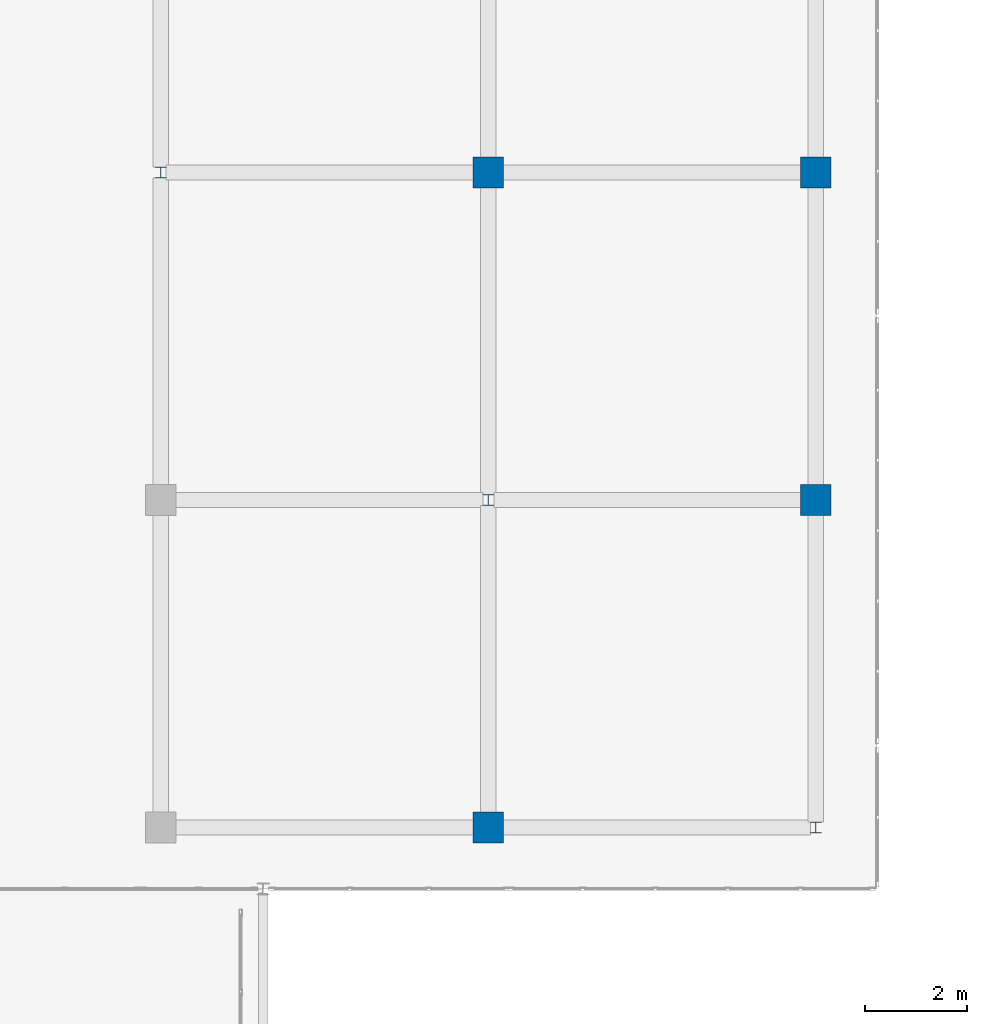
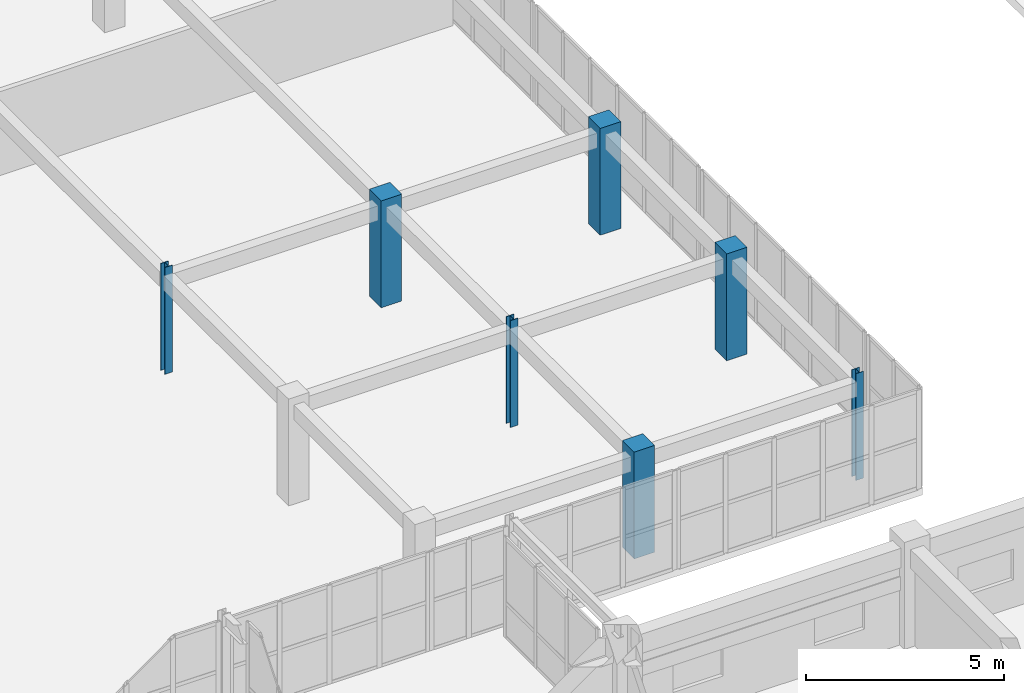
# One storey, part 13 of 200: 7 columns.
"""IFC4 building model written with IfcOpenShell, lengths in metres."""

from ifc_helpers import new_model, si_unit, direction, frame, origin, origin_2d, place, context, subcontext, project, spatial, rectangle, i_section, extrude, material, material_profile, profile_set, type_object, element, save


model = new_model("IFC4")

# Units and contexts
model_context = context("Model", 3, precision=1e-05, world=origin(), true_north=direction((0.0, 1.0)))
body_context = subcontext(model_context, "Body", "Model", "MODEL_VIEW")
ifc_project = project(units=[si_unit("LENGTHUNIT", "METRE"), si_unit("AREAUNIT", "SQUARE_METRE"), si_unit("VOLUMEUNIT", "CUBIC_METRE"), si_unit("PLANEANGLEUNIT", "RADIAN"), si_unit("MASSUNIT", "GRAM", prefix="KILO")], contexts=[model_context])

# Site, building, storey
site_placement = place(None, origin())
site = spatial("IfcSite", under=ifc_project, at=site_placement, CompositionType="ELEMENT")
building_placement = place(site_placement, origin())
building = spatial("IfcBuilding", under=site, at=building_placement, Name="Trelvath General Hospital", CompositionType="ELEMENT")
storey_placement = place(building_placement, frame((0.0, 0.0, 4.800048828125)))
storey = spatial("IfcBuildingStorey", under=building, at=storey_placement, Name="L01", CompositionType="ELEMENT", Elevation=4.800048828125)

# Columns
ifc_material_1 = material(Name="Concrete C40/50", Category="concrete")
ifc_material_profile_1 = material_profile(ifc_material_1, rectangle(XDim=0.60009765625, YDim=0.60009765625, at=origin_2d()), Name="RC600x600")
ifc_profile_set_1 = profile_set([ifc_material_profile_1], Name="Concrete C40/50")
column_type_1 = type_object("IfcColumnType", Name="Column RC600", PredefinedType="COLUMN", material=ifc_profile_set_1)
for number, where, z_axis, x_axis, name in (
    (1, (113.60009765625, 32.0, 0.0), (0.0, 0.0, 1.0), (1.0, 0.0, 0.0), "Cube Interior Column CC-E08 L01"),
    (2, (113.60009765625, 44.800048828125, 0.0), (0.0, 0.0, 1.0), (1.0, 0.0, 0.0), "Cube Interior Column CC-E10 L01"),
    (3, (120.0, 38.39990234375, 0.0), (0.0, 0.0, 1.0), (1.0, 0.0, 0.0), "Cube Interior Column CC-E16 L01"),
    (4, (120.0, 44.800048828125, 0.0), (0.0, 0.0, 1.0), (1.0, 0.0, 0.0), "Cube Interior Column CC-E17 L01"),
):
    element("IfcColumn", number, at=place(storey_placement, frame(where, z_axis=z_axis, x_axis=x_axis)), inside=storey, type_object=column_type_1, Name=name, PredefinedType="COLUMN", context=body_context, shape_type="SweptSolid", body=[
        extrude(rectangle(XDim=0.60009765625, YDim=0.60009765625, at=origin_2d()), origin(), (0.0, 0.0, 1.0), 3.300048828125),
    ])
ifc_material_2 = material(Name="Steel S355", Category="steel")
ifc_material_profile_2 = material_profile(ifc_material_2, i_section(OverallWidth=0.219970703125, OverallDepth=0.219970703125, WebThickness=0.009521484375, FlangeThickness=0.01611328125, at=origin_2d()), Name="HEB220")
ifc_profile_set_2 = profile_set([ifc_material_profile_2], Name="Steel S355")
column_type_2 = type_object("IfcColumnType", Name="CubePost HEB220", PredefinedType="COLUMN", material=ifc_profile_set_2)
for number, where, z_axis, x_axis, name in (
    (5, (107.199951171875, 44.800048828125, 0.0), (0.0, 0.0, 1.0), (1.0, 0.0, 0.0), "Cube Interior Column CC-E03 L01"),
    (6, (113.60009765625, 38.39990234375, 0.0), (0.0, 0.0, 1.0), (1.0, 0.0, 0.0), "Cube Interior Column CC-E09 L01"),
    (7, (120.0, 32.0, 0.0), (0.0, 0.0, 1.0), (1.0, 0.0, 0.0), "Cube Interior Column CC-E15 L01"),
):
    element("IfcColumn", number, at=place(storey_placement, frame(where, z_axis=z_axis, x_axis=x_axis)), inside=storey, type_object=column_type_2, Name=name, PredefinedType="COLUMN", context=body_context, shape_type="SweptSolid", body=[
        extrude(i_section(OverallWidth=0.219970703125, OverallDepth=0.219970703125, WebThickness=0.009521484375, FlangeThickness=0.01611328125, at=origin_2d()), origin(), (0.0, 0.0, 1.0), 3.300048828125),
    ])

save(model, "model.ifc")
